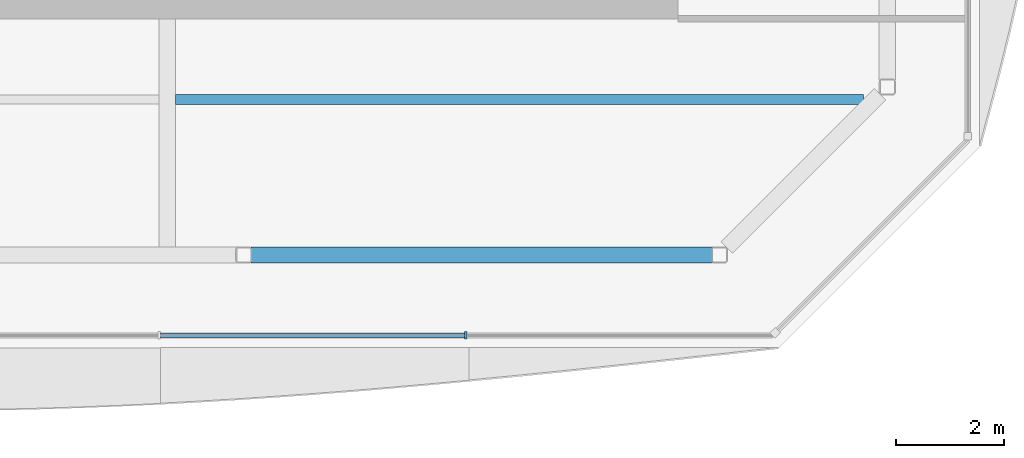
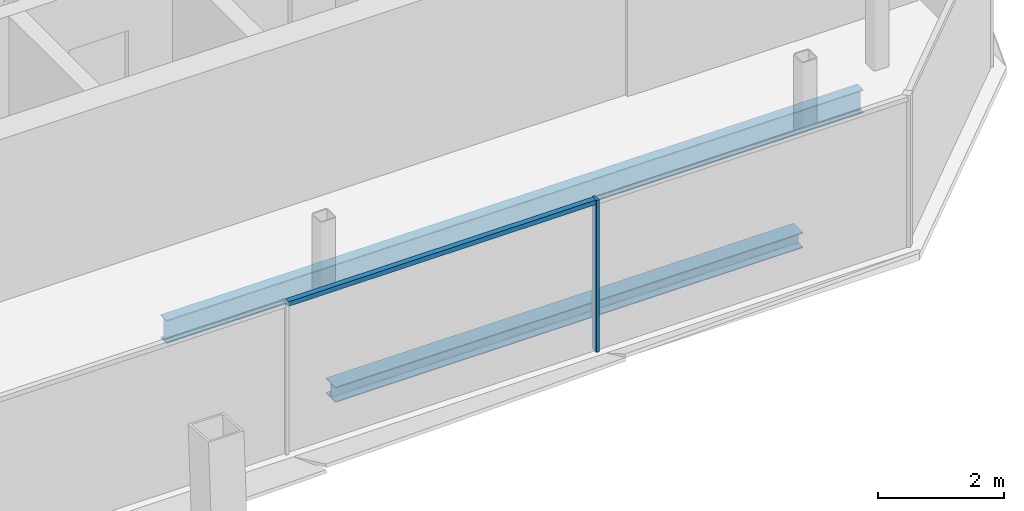
# One storey, part 4 of 15: 2 beams, 2 members, 1 element without a shape of its own.
"""IFC4 building model written with IfcOpenShell, lengths in metres."""

from ifc_helpers import new_model, si_unit, direction, frame, origin, origin_2d, place, context, subcontext, project, spatial, rectangle, i_section, extrude, material, material_profile, profile_set, type_object, element, aggregate, save


model = new_model("IFC4")

# Units and contexts
model_context = context("Model", 3, precision=1e-05, world=origin(), true_north=direction((0.0, 1.0)))
body_context = subcontext(model_context, "Body", "Model", "MODEL_VIEW")
ifc_project = project(units=[si_unit("LENGTHUNIT", "METRE"), si_unit("AREAUNIT", "SQUARE_METRE"), si_unit("VOLUMEUNIT", "CUBIC_METRE"), si_unit("PLANEANGLEUNIT", "RADIAN"), si_unit("MASSUNIT", "GRAM", prefix="KILO")], contexts=[model_context])

# Site, building, storey
site_placement = place(None, origin())
site = spatial("IfcSite", under=ifc_project, at=site_placement, CompositionType="ELEMENT")
building_placement = place(site_placement, origin())
building = spatial("IfcBuilding", under=site, at=building_placement, Name="Tskaro Facet Tower", CompositionType="ELEMENT")
storey_placement = place(building_placement, frame((0.0, 0.0, 239.25)))
storey = spatial("IfcBuildingStorey", under=building, at=storey_placement, Name="L62", CompositionType="ELEMENT", Elevation=239.25)

# Curtain wall, members
ifc_material_1 = material(Name="Bronze anodised aluminium 6063-T6", Category="aluminium")
curtain_wall_type = type_object("IfcCurtainWallType", Name="Bronze residence curtain wall (FW3)", PredefinedType="NOTDEFINED", material=ifc_material_1)
curtain_wall_placement = place(storey_placement, origin())
curtain_wall = element("IfcCurtainWall", 1, at=curtain_wall_placement, inside=storey, type_object=curtain_wall_type, Name="FW3 south facet L62", PredefinedType="NOTDEFINED")
ifc_material_profile_1 = material_profile(ifc_material_1, rectangle(XDim=0.050048828125, YDim=0.139892578125, at=origin_2d()), Name="Mullion 50x140")
ifc_profile_set_1 = profile_set([ifc_material_profile_1], Name="Bronze anodised aluminium 6063-T6")
member_type_1 = type_object("IfcMemberType", Name="FW3 bronze mullion 50x140", PredefinedType="MULLION", material=ifc_profile_set_1)
member_1_placement = place(storey_placement, frame((5.5517578125, -17.888916015625, 0.0), z_axis=(0.0, 0.0, 1.0), x_axis=(1.0, 0.0, 0.0)))
member_1 = element("IfcMember", 2, at=member_1_placement, type_object=member_type_1, Name="FW3 south mullion 4", PredefinedType="MULLION", context=body_context, shape_type="SweptSolid", body=[
    extrude(rectangle(XDim=0.050048828125, YDim=0.139892578125, at=origin_2d()), origin(), (0.0, 0.0, 1.0), 2.949951171875),
])
ifc_material_profile_2 = material_profile(ifc_material_1, rectangle(XDim=0.10009765625, YDim=0.090087890625, at=origin_2d()), Name="Transom 100x90")
ifc_profile_set_2 = profile_set([ifc_material_profile_2], Name="Bronze anodised aluminium 6063-T6")
member_type_2 = type_object("IfcMemberType", Name="FW3 bronze transom 100x90", PredefinedType="USERDEFINED", material=ifc_profile_set_2)
member_2_placement = place(storey_placement, frame((-0.12451171875, -17.888916015625, 2.905029296875), z_axis=(1.0, 0.0, 0.0), x_axis=(0.0, 1.0, 0.0)))
member_2 = element("IfcMember", 3, at=member_2_placement, type_object=member_type_2, Name="FW3 south transom 4.1", ObjectType="TRANSOM", PredefinedType="USERDEFINED", context=body_context, shape_type="SweptSolid", body=[
    extrude(rectangle(XDim=0.10009765625, YDim=0.090087890625, at=origin_2d()), origin(), (0.0, 0.0, 1.0), 5.6513671875),
])
aggregate(curtain_wall, [member_1, member_2])

# Beams
ifc_material_2 = material(Name="Steel S355J2", Category="steel")
ifc_material_profile_3 = material_profile(ifc_material_2, i_section(OverallWidth=0.300048828125, OverallDepth=0.300048828125, WebThickness=0.010986328125, FlangeThickness=0.01904296875, FilletRadius=0.027099609375, at=origin_2d()), Name="HE 300 B")
ifc_profile_set_3 = profile_set([ifc_material_profile_3], Name="Steel S355J2")
beam_type_1 = type_object("IfcBeamType", Name="HE 300 B ring beam", PredefinedType="BEAM", material=ifc_profile_set_3)
beam_1_placement = place(storey_placement, frame((1.552978515625, -16.39111328125, -0.2900390625), z_axis=(1.0, 0.0, 0.0), x_axis=(0.0, 1.0, 0.0)))
element("IfcBeam", 4, at=beam_1_placement, inside=storey, type_object=beam_type_1, Name="HE 300 B EB3-5", PredefinedType="BEAM", context=body_context, shape_type="SweptSolid", body=[
    extrude(i_section(OverallWidth=0.300048828125, OverallDepth=0.300048828125, WebThickness=0.010986328125, FlangeThickness=0.01904296875, FilletRadius=0.027099609375, at=origin_2d()), origin(), (0.0, 0.0, 1.0), 8.5849609375),
])
ifc_material_profile_4 = material_profile(ifc_material_2, i_section(OverallWidth=0.18994140625, OverallDepth=0.449951171875, WebThickness=0.009521484375, FlangeThickness=0.0146484375, FilletRadius=0.02099609375, at=origin_2d()), Name="IPE 450")
ifc_profile_set_4 = profile_set([ifc_material_profile_4], Name="Steel S355J2")
beam_type_2 = type_object("IfcBeamType", Name="IPE 450 long secondary beam", PredefinedType="BEAM", material=ifc_profile_set_4)
beam_2_placement = place(storey_placement, frame((0.14990234375, -13.5, -0.364990234375), z_axis=(1.0, 0.0, 0.0), x_axis=(0.0, 1.0, 0.0)))
element("IfcBeam", 5, at=beam_2_placement, inside=storey, type_object=beam_type_2, Name="IPE 450 LSB2a-3-5", PredefinedType="BEAM", context=body_context, shape_type="SweptSolid", body=[
    extrude(i_section(OverallWidth=0.18994140625, OverallDepth=0.449951171875, WebThickness=0.009521484375, FlangeThickness=0.0146484375, FilletRadius=0.02099609375, at=origin_2d()), origin(), (0.0, 0.0, 1.0), 12.797119140625),
])

save(model, "model.ifc")
